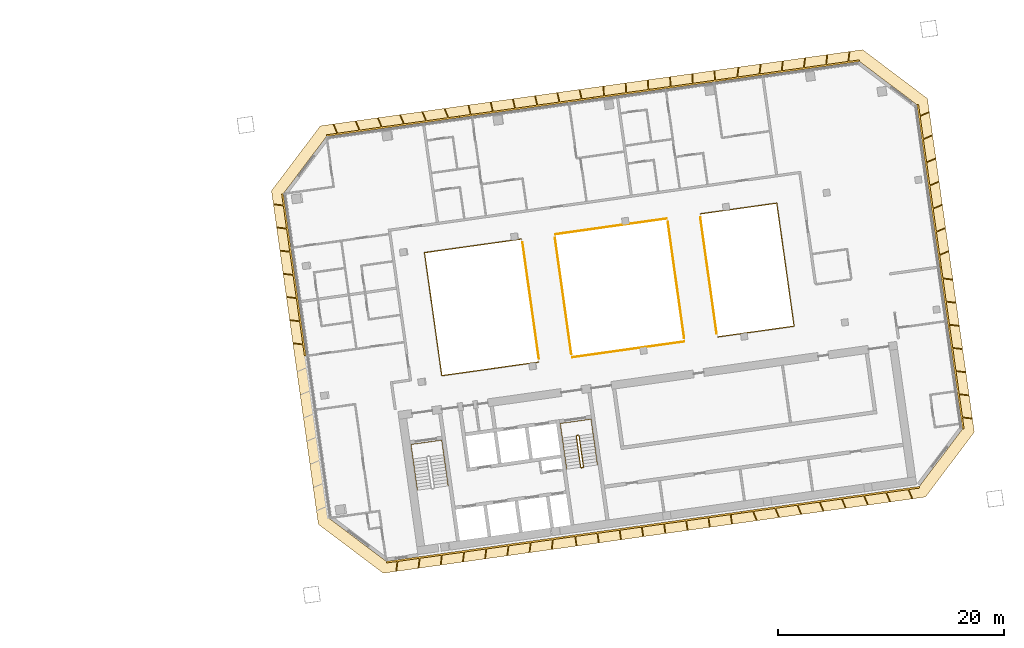
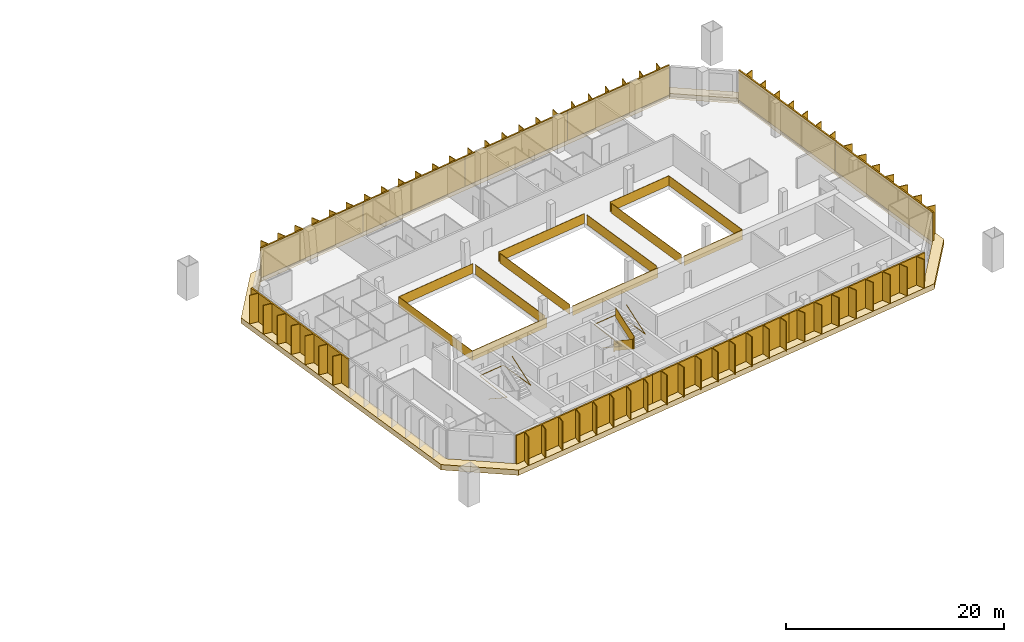
# One storey, part 23 of 23: 11 railings, 10 shading devices, 1 covering.
"""IFC4 building model written with IfcOpenShell, lengths in metres."""

from ifc_helpers import new_model, si_unit, direction, frame, origin, origin_2d, place, context, subcontext, project, spatial, polyline, rectangle, outline, extrude, material, layer, layer_set, type_object, element, save


model = new_model("IFC4")

# Units and contexts
model_context = context("Model", 3, precision=1e-05, world=origin(), true_north=direction((0.0, 1.0)))
body_context = subcontext(model_context, "Body", "Model", "MODEL_VIEW")
ifc_project = project(units=[si_unit("LENGTHUNIT", "METRE"), si_unit("AREAUNIT", "SQUARE_METRE"), si_unit("VOLUMEUNIT", "CUBIC_METRE"), si_unit("PLANEANGLEUNIT", "RADIAN"), si_unit("MASSUNIT", "GRAM", prefix="KILO")], contexts=[model_context])

# Site, building, storey
site_placement = place(None, origin())
site = spatial("IfcSite", under=ifc_project, at=site_placement, CompositionType="ELEMENT")
building_placement = place(site_placement, origin())
building = spatial("IfcBuilding", under=site, at=building_placement, Name="Mirante Cascada Hotel Towers", CompositionType="ELEMENT")
storey_placement = place(building_placement, frame((0.0, 0.0, 199.2)))
storey = spatial("IfcBuildingStorey", under=building, at=storey_placement, Name="L47", CompositionType="ELEMENT", Elevation=199.2)

# Railings
ifc_material_1 = material(Name="Toughened glass with stainless steel handrail", Category="steel")
railing_type_1 = type_object("IfcRailingType", Name="Atrium guard 1100 glass balustrade", PredefinedType="GUARDRAIL", material=ifc_material_1)
railing_1_placement = place(storey_placement, frame((46.4429, 7.9856, 0.0)))
element("IfcRailing", 1, at=railing_1_placement, inside=storey, type_object=railing_type_1, Name="GUARD 2-L47-1", PredefinedType="GUARDRAIL", context=body_context, shape_type="SweptSolid", body=[
    extrude(rectangle(XDim=0.048, YDim=0.048, at=origin_2d()), frame((0.0, 0.0, 1.076), z_axis=(-0.990268, -0.1391739, 0.0), x_axis=(0.1391739, -0.990268, 0.0)), (0.0, 0.0, 1.0), 8.6726),
    extrude(rectangle(XDim=0.02, YDim=1.052, at=origin_2d()), frame((0.0, 0.0, 0.526), z_axis=(-0.990268, -0.1391739, 0.0), x_axis=(0.1391739, -0.990268, 0.0)), (0.0, 0.0, 1.0), 8.6726),
    extrude(rectangle(XDim=0.048, YDim=0.048, at=origin_2d()), frame((-8.5882, -1.207, 1.076), z_axis=(0.1391721, -0.9902682, 0.0), x_axis=(0.9902682, 0.1391721, 0.0)), (0.0, 0.0, 1.0), 11.0001),
    extrude(rectangle(XDim=0.02, YDim=1.052, at=origin_2d()), frame((-8.5882, -1.207, 0.526), z_axis=(0.1391721, -0.9902682, 0.0), x_axis=(0.9902682, 0.1391721, 0.0)), (0.0, 0.0, 1.0), 11.0001),
    extrude(rectangle(XDim=0.048, YDim=0.048, at=origin_2d()), frame((-7.0573, -12.1, 1.076), z_axis=(0.990268, 0.1391739, 0.0), x_axis=(-0.1391739, 0.990268, 0.0)), (0.0, 0.0, 1.0), 8.6726),
    extrude(rectangle(XDim=0.02, YDim=1.052, at=origin_2d()), frame((-7.0573, -12.1, 0.526), z_axis=(0.990268, 0.1391739, 0.0), x_axis=(-0.1391739, 0.990268, 0.0)), (0.0, 0.0, 1.0), 8.6726),
])
railing_2_placement = place(storey_placement, frame((50.9446, -2.4898, 0.0)))
element("IfcRailing", 2, at=railing_2_placement, inside=storey, type_object=railing_type_1, Name="GUARD 2-L47-2", PredefinedType="GUARDRAIL", context=body_context, shape_type="SweptSolid", body=[
    extrude(rectangle(XDim=0.048, YDim=0.048, at=origin_2d()), frame((0.0, 0.0, 1.076), z_axis=(0.990269, 0.1391664, 0.0), x_axis=(-0.1391664, 0.990269, 0.0)), (0.0, 0.0, 1.0), 9.9974),
    extrude(rectangle(XDim=0.02, YDim=1.052, at=origin_2d()), frame((0.0, 0.0, 0.526), z_axis=(0.990269, 0.1391664, 0.0), x_axis=(-0.1391664, 0.990269, 0.0)), (0.0, 0.0, 1.0), 9.9974),
])
railing_3_placement = place(storey_placement, frame((59.3138, 9.7945, 0.0)))
element("IfcRailing", 3, at=railing_3_placement, inside=storey, type_object=railing_type_1, Name="GUARD 2-L47-3", PredefinedType="GUARDRAIL", context=body_context, shape_type="SweptSolid", body=[
    extrude(rectangle(XDim=0.048, YDim=0.048, at=origin_2d()), frame((0.0, 0.0, 1.076), z_axis=(-0.9902676, -0.1391762, 0.0), x_axis=(0.1391762, -0.9902676, 0.0)), (0.0, 0.0, 1.0), 9.9974),
    extrude(rectangle(XDim=0.02, YDim=1.052, at=origin_2d()), frame((0.0, 0.0, 0.526), z_axis=(-0.9902676, -0.1391762, 0.0), x_axis=(0.1391762, -0.9902676, 0.0)), (0.0, 0.0, 1.0), 9.9974),
])
railing_4_placement = place(storey_placement, frame((63.8156, -0.6809, 0.0)))
element("IfcRailing", 4, at=railing_4_placement, inside=storey, type_object=railing_type_1, Name="GUARD 2-L47-4", PredefinedType="GUARDRAIL", context=body_context, shape_type="SweptSolid", body=[
    extrude(rectangle(XDim=0.048, YDim=0.048, at=origin_2d()), frame((0.0, 0.0, 1.076), z_axis=(0.9902688, 0.1391682, 0.0), x_axis=(-0.1391682, 0.9902688, 0.0)), (0.0, 0.0, 1.0), 6.8299),
    extrude(rectangle(XDim=0.02, YDim=1.052, at=origin_2d()), frame((0.0, 0.0, 0.526), z_axis=(0.9902688, 0.1391682, 0.0), x_axis=(-0.1391682, 0.9902688, 0.0)), (0.0, 0.0, 1.0), 6.8299),
    extrude(rectangle(XDim=0.048, YDim=0.048, at=origin_2d()), frame((6.7634, 0.9505, 1.076), z_axis=(-0.1391733, 0.990268, 0.0), x_axis=(-0.990268, -0.1391733, 0.0)), (0.0, 0.0, 1.0), 11.0),
    extrude(rectangle(XDim=0.02, YDim=1.052, at=origin_2d()), frame((6.7634, 0.9505, 0.526), z_axis=(-0.1391733, 0.990268, 0.0), x_axis=(-0.990268, -0.1391733, 0.0)), (0.0, 0.0, 1.0), 11.0),
    extrude(rectangle(XDim=0.048, YDim=0.048, at=origin_2d()), frame((5.2325, 11.8434, 1.076), z_axis=(-0.990269, -0.1391662, 0.0), x_axis=(0.1391662, -0.990269, 0.0)), (0.0, 0.0, 1.0), 6.83),
    extrude(rectangle(XDim=0.02, YDim=1.052, at=origin_2d()), frame((5.2325, 11.8434, 0.526), z_axis=(-0.990269, -0.1391662, 0.0), x_axis=(0.1391662, -0.990269, 0.0)), (0.0, 0.0, 1.0), 6.83),
])
railing_5_placement = place(storey_placement, frame((47.9812, -2.6078, 0.0)))
element("IfcRailing", 5, at=railing_5_placement, inside=storey, type_object=railing_type_1, Name="GUARD 2-L47-5", PredefinedType="GUARDRAIL", context=body_context, shape_type="SweptSolid", body=[
    extrude(rectangle(XDim=0.048, YDim=0.048, at=origin_2d()), frame((0.0, 0.0, 1.076), z_axis=(-0.1391721, 0.9902682, 0.0), x_axis=(-0.9902682, -0.1391721, 0.0)), (0.0, 0.0, 1.0), 10.4087),
    extrude(rectangle(XDim=0.02, YDim=1.052, at=origin_2d()), frame((0.0, 0.0, 0.526), z_axis=(-0.1391721, 0.9902682, 0.0), x_axis=(-0.9902682, -0.1391721, 0.0)), (0.0, 0.0, 1.0), 10.4087),
])
railing_6_placement = place(storey_placement, frame((49.4063, 8.1035, 0.0)))
element("IfcRailing", 6, at=railing_6_placement, inside=storey, type_object=railing_type_1, Name="GUARD 2-L47-6", PredefinedType="GUARDRAIL", context=body_context, shape_type="SweptSolid", body=[
    extrude(rectangle(XDim=0.048, YDim=0.048, at=origin_2d()), frame((0.0, 0.0, 1.076), z_axis=(0.1391721, -0.9902682, 0.0), x_axis=(0.9902682, 0.1391721, 0.0)), (0.0, 0.0, 1.0), 10.4087),
    extrude(rectangle(XDim=0.02, YDim=1.052, at=origin_2d()), frame((0.0, 0.0, 0.526), z_axis=(0.1391721, -0.9902682, 0.0), x_axis=(0.9902682, 0.1391721, 0.0)), (0.0, 0.0, 1.0), 10.4087),
])
railing_7_placement = place(storey_placement, frame((60.8522, -0.7989, 0.0)))
element("IfcRailing", 7, at=railing_7_placement, inside=storey, type_object=railing_type_1, Name="GUARD 2-L47-7", PredefinedType="GUARDRAIL", context=body_context, shape_type="SweptSolid", body=[
    extrude(rectangle(XDim=0.048, YDim=0.048, at=origin_2d()), frame((0.0, 0.0, 1.076), z_axis=(-0.1391721, 0.9902682, 0.0), x_axis=(-0.9902682, -0.1391721, 0.0)), (0.0, 0.0, 1.0), 10.4087),
    extrude(rectangle(XDim=0.02, YDim=1.052, at=origin_2d()), frame((0.0, 0.0, 0.526), z_axis=(-0.1391721, 0.9902682, 0.0), x_axis=(-0.9902682, -0.1391721, 0.0)), (0.0, 0.0, 1.0), 10.4087),
])
railing_8_placement = place(storey_placement, frame((62.2772, 9.9124, 0.0)))
element("IfcRailing", 8, at=railing_8_placement, inside=storey, type_object=railing_type_1, Name="GUARD 2-L47-8", PredefinedType="GUARDRAIL", context=body_context, shape_type="SweptSolid", body=[
    extrude(rectangle(XDim=0.048, YDim=0.048, at=origin_2d()), frame((0.0, 0.0, 1.076), z_axis=(0.1391721, -0.9902682, 0.0), x_axis=(0.9902682, 0.1391721, 0.0)), (0.0, 0.0, 1.0), 10.4087),
    extrude(rectangle(XDim=0.02, YDim=1.052, at=origin_2d()), frame((0.0, 0.0, 0.526), z_axis=(0.1391721, -0.9902682, 0.0), x_axis=(0.9902682, 0.1391721, 0.0)), (0.0, 0.0, 1.0), 10.4087),
])

# Covering
ifc_material_2 = material(Name="Precast concrete C40/50 white", Category="concrete")
ifc_layer = layer(ifc_material_2, 0.6)
ifc_layer_set = layer_set([ifc_layer], Name="Precast concrete SUNSHADE band 1000x600")
covering_type = type_object("IfcCoveringType", Name="Precast concrete SUNSHADE band 1000x600", PredefinedType="CLADDING", material=ifc_layer_set)
covering_placement = place(storey_placement, frame((0.0, 0.0, -0.45)))
element("IfcCovering", 9, at=covering_placement, inside=storey, type_object=covering_type, Name="Precast concrete SUNSHADE band T2 L47", PredefinedType="CLADDING", context=body_context, shape_type="SweptSolid", body=[
    extrude(outline(polyline([(24.3025, 12.2601), (28.631, 18.0042), (76.645, 24.7521), (82.3891, 20.4236), (86.5404, -9.1145), (82.2119, -14.8586), (34.1979, -21.6066), (28.4539, -17.2781), (24.3025, 12.2601)]), holes=[polyline([(85.4925, -8.8435), (81.4565, 19.8742), (76.374, 23.7042), (29.1804, 17.0715), (25.3505, 11.989), (29.3865, -16.7287), (34.469, -20.5587), (81.6626, -13.926), (85.4925, -8.8435)])]), origin(), (0.0, 0.0, 1.0), 0.6),
])

# Railings
ifc_material_3 = material(Name="Painted steel", Category="steel")
railing_type_2 = type_object("IfcRailingType", Name="Stair guard 1100 steel balustrade", PredefinedType="GUARDRAIL", material=ifc_material_3)
railing_9_placement = place(storey_placement, frame((51.4864, -9.3815, 0.0)))
element("IfcRailing", 10, at=railing_9_placement, inside=storey, type_object=railing_type_2, Name="L47 ST2-B stair guard 1", PredefinedType="GUARDRAIL", context=body_context, shape_type="SweptSolid", body=[
    extrude(rectangle(XDim=0.048, YDim=0.048, at=origin_2d()), frame((0.0, 0.0, 1.076), z_axis=(-0.9902408, -0.1393672, 0.0), x_axis=(0.1393672, -0.9902408, 0.0)), (0.0, 0.0, 1.0), 0.15),
    extrude(rectangle(XDim=0.02, YDim=1.052, at=origin_2d()), frame((0.0, 0.0, 0.526), z_axis=(-0.9902408, -0.1393672, 0.0), x_axis=(0.1393672, -0.9902408, 0.0)), (0.0, 0.0, 1.0), 0.15),
    extrude(rectangle(XDim=0.048, YDim=0.048, at=origin_2d()), frame((-0.1485, -0.0209, 1.076), z_axis=(-0.6020331, -0.7984711, 0.0), x_axis=(0.7984711, -0.6020331, 0.0)), (0.0, 0.9253398, 0.3791387), 0.1866),
    extrude(rectangle(XDim=0.02, YDim=1.052, at=origin_2d()), frame((-0.1485, -0.0209, 0.526), z_axis=(-0.6020331, -0.7984711, 0.0), x_axis=(0.7984711, -0.6020331, 0.0)), (0.0, 0.9253398, 0.3791387), 0.1866),
    extrude(rectangle(XDim=0.048, YDim=0.048, at=origin_2d()), frame((-0.1911, -0.0774, 1.2487), z_axis=(0.139181, -0.990267, 0.0), x_axis=(0.990267, 0.139181, 0.0)), (0.0, 0.5250347, 0.8510808), 3.2899),
    extrude(rectangle(XDim=0.02, YDim=1.052, at=origin_2d()), frame((-0.1911, -0.0774, 0.6987), z_axis=(0.139181, -0.990267, 0.0), x_axis=(0.990267, 0.139181, 0.0)), (0.0, 0.5250347, 0.8510808), 3.2899),
    extrude(rectangle(XDim=0.048, YDim=0.048, at=origin_2d()), frame((0.1986, -2.8501, 2.976), z_axis=(0.9944441, -0.1052656, 0.0), x_axis=(0.1052656, 0.9944441, 0.0)), (0.0, 0.0, 1.0), 0.2061),
    extrude(rectangle(XDim=0.02, YDim=1.052, at=origin_2d()), frame((0.1986, -2.8501, 2.426), z_axis=(0.9944441, -0.1052656, 0.0), x_axis=(0.1052656, 0.9944441, 0.0)), (0.0, 0.0, 1.0), 0.2061),
    extrude(rectangle(XDim=0.048, YDim=0.048, at=origin_2d()), frame((0.4036, -2.8718, 2.976), z_axis=(-0.9902408, -0.1393672, 0.0), x_axis=(0.1393672, -0.9902408, 0.0)), (0.0, 0.0, 1.0), 0.15),
    extrude(rectangle(XDim=0.02, YDim=1.052, at=origin_2d()), frame((0.4036, -2.8718, 2.426), z_axis=(-0.9902408, -0.1393672, 0.0), x_axis=(0.1393672, -0.9902408, 0.0)), (0.0, 0.0, 1.0), 0.15),
    extrude(rectangle(XDim=0.048, YDim=0.048, at=origin_2d()), frame((0.2551, -2.8927, 2.976), z_axis=(0.9268624, 0.3754011, 0.0), x_axis=(-0.3754011, 0.9268624, 0.0)), (0.0, 0.6421217, 0.7666028), 0.269),
    extrude(rectangle(XDim=0.02, YDim=1.052, at=origin_2d()), frame((0.2551, -2.8927, 2.426), z_axis=(0.9268624, 0.3754011, 0.0), x_axis=(-0.3754011, 0.9268624, 0.0)), (0.0, 0.6421217, 0.7666028), 0.269),
    extrude(rectangle(XDim=0.048, YDim=0.048, at=origin_2d()), frame((0.4462, -2.8153, 3.1487), z_axis=(-0.139181, 0.990267, 0.0), x_axis=(-0.990267, -0.139181, 0.0)), (0.0, 0.5250347, 0.8510808), 3.2899),
    extrude(rectangle(XDim=0.02, YDim=1.052, at=origin_2d()), frame((0.4462, -2.8153, 2.5987), z_axis=(-0.139181, 0.990267, 0.0), x_axis=(-0.990267, -0.139181, 0.0)), (0.0, 0.5250347, 0.8510808), 3.2899),
])
ifc_material_4 = material(Name="Painted steel", Category="steel")
railing_type_3 = type_object("IfcRailingType", Name="Stair handrail 900 steel tube", PredefinedType="HANDRAIL", material=ifc_material_4)
railing_10_placement = place(storey_placement, frame((36.8374, -11.4908, 0.1727)))
element("IfcRailing", 11, at=railing_10_placement, inside=storey, type_object=railing_type_3, Name="L47 ST2-A stair handrail 1", PredefinedType="HANDRAIL", context=body_context, shape_type="SweptSolid", body=[
    extrude(rectangle(XDim=0.048, YDim=0.048, at=origin_2d()), frame((0.0, 0.0, 0.876), z_axis=(0.139181, -0.990267, 0.0), x_axis=(0.990267, 0.139181, 0.0)), (0.0, 0.5250347, 0.8510808), 3.2899),
    extrude(rectangle(XDim=0.048, YDim=0.048, at=origin_2d()), frame((0.3897, -2.7727, 2.6033), z_axis=(-0.1391707, 0.9902684, 0.0), x_axis=(-0.9902684, -0.1391707, 0.0)), (0.0, 0.0420846, 0.999114), 4.1036),
    extrude(rectangle(XDim=0.048, YDim=0.048, at=origin_2d()), frame((-0.1809, 1.2874, 2.776), z_axis=(0.9902691, 0.1391657, 0.0), x_axis=(-0.1391657, 0.9902691, 0.0)), (0.0, 0.0, 1.0), 2.75),
    extrude(rectangle(XDim=0.048, YDim=0.048, at=origin_2d()), frame((2.5423, 1.6701, 2.776), z_axis=(0.1391707, -0.9902684, 0.0), x_axis=(0.9902684, 0.1391707, 0.0)), (0.0, 0.0, 1.0), 4.1),
    extrude(rectangle(XDim=0.048, YDim=0.048, at=origin_2d()), frame((3.1129, -2.39, 2.776), z_axis=(-0.139181, 0.990267, 0.0), x_axis=(-0.990267, -0.139181, 0.0)), (0.0, 0.5250347, 0.8510808), 3.2899),
])
railing_11_placement = place(storey_placement, frame((50.0575, -9.6328, 0.1727)))
element("IfcRailing", 12, at=railing_11_placement, inside=storey, type_object=railing_type_3, Name="L47 ST2-B stair handrail 1", PredefinedType="HANDRAIL", context=body_context, shape_type="SweptSolid", body=[
    extrude(rectangle(XDim=0.048, YDim=0.048, at=origin_2d()), frame((0.0, 0.0, 0.876), z_axis=(0.139176, -0.9902677, 0.0), x_axis=(0.9902677, 0.139176, 0.0)), (0.0, 0.5250212, 0.8510891), 3.29),
    extrude(rectangle(XDim=0.048, YDim=0.048, at=origin_2d()), frame((0.3897, -2.7728, 2.6033), z_axis=(-0.1391707, 0.9902684, 0.0), x_axis=(-0.9902684, -0.1391707, 0.0)), (0.0, 0.0420846, 0.999114), 4.1036),
    extrude(rectangle(XDim=0.048, YDim=0.048, at=origin_2d()), frame((-0.1809, 1.2873, 2.776), z_axis=(0.9902641, 0.1392013, 0.0), x_axis=(-0.1392013, 0.9902641, 0.0)), (0.0, 0.0, 1.0), 2.75),
    extrude(rectangle(XDim=0.048, YDim=0.048, at=origin_2d()), frame((2.5423, 1.6701, 2.776), z_axis=(0.1391707, -0.9902684, 0.0), x_axis=(0.9902684, 0.1391707, 0.0)), (0.0, 0.0, 1.0), 4.1),
    extrude(rectangle(XDim=0.048, YDim=0.048, at=origin_2d()), frame((3.1129, -2.39, 2.776), z_axis=(-0.139181, 0.990267, 0.0), x_axis=(-0.990267, -0.139181, 0.0)), (0.0, 0.5250347, 0.8510808), 3.2899),
])

# Shading devices
ifc_material_5 = material(Name="White precast concrete C50/60 fin", Category="concrete")
shading_device_type = type_object("IfcShadingDeviceType", Name="Vertical fin set 4500x900", PredefinedType="USERDEFINED", material=ifc_material_5)
shading_device_1_placement = place(storey_placement, origin())
element("IfcShadingDevice", 13, at=shading_device_1_placement, inside=storey, type_object=shading_device_type, Name="FIN T2 L47 front 1", ObjectType="FIN", PredefinedType="USERDEFINED", context=body_context, shape_type="SweptSolid", body=[
    extrude(outline(polyline([(65.6942, 23.1716), (65.5922, 22.3404), (67.4766, 22.6052), (67.5812, 23.4577), (67.6606, 23.448), (67.5586, 22.6167), (69.443, 22.8815), (69.5476, 23.7341), (69.627, 23.7243), (69.525, 22.8931), (71.4094, 23.1579), (71.514, 24.0105), (71.5934, 24.0007), (71.4914, 23.1694), (73.3758, 23.4343), (73.4804, 24.2868), (73.5598, 24.2771), (73.4578, 23.4458), (75.3422, 23.7106), (75.4468, 24.5632), (75.5262, 24.5534), (75.4242, 23.7222), (76.3531, 23.8527), (76.374, 23.7042), (64.5756, 22.046), (64.5547, 22.1945), (65.5102, 22.3288), (65.6148, 23.1814), (65.6942, 23.1716)])), origin(), (0.0, 0.0, 1.0), 3.35),
])
shading_device_2_placement = place(storey_placement, origin())
element("IfcShadingDevice", 14, at=shading_device_2_placement, inside=storey, type_object=shading_device_type, Name="FIN T2 L47 front 2", ObjectType="FIN", PredefinedType="USERDEFINED", context=body_context, shape_type="SweptSolid", body=[
    extrude(outline(polyline([(53.7393, 21.5259), (53.7836, 20.6808), (55.6705, 20.9459), (55.6258, 21.7981), (55.7057, 21.8023), (55.75, 20.9571), (57.6369, 21.2223), (57.5922, 22.0744), (57.6721, 22.0786), (57.7164, 21.2335), (59.6033, 21.4987), (59.5586, 22.3508), (59.6385, 22.355), (59.6828, 21.5098), (61.5697, 21.775), (61.525, 22.6272), (61.6049, 22.6314), (61.6492, 21.7862), (63.5361, 22.0514), (63.4914, 22.9035), (63.5713, 22.9077), (63.6156, 22.0626), (64.5547, 22.1945), (64.5756, 22.046), (52.7772, 20.3878), (52.7563, 20.5364), (53.7041, 20.6696), (53.6594, 21.5217), (53.7393, 21.5259)])), origin(), (0.0, 0.0, 1.0), 3.35),
])
shading_device_3_placement = place(storey_placement, origin())
element("IfcShadingDevice", 15, at=shading_device_3_placement, inside=storey, type_object=shading_device_type, Name="FIN T2 L47 front 3", ObjectType="FIN", PredefinedType="USERDEFINED", context=body_context, shape_type="SweptSolid", body=[
    extrude(outline(polyline([(41.7846, 19.8528), (41.9765, 19.0214), (43.8634, 19.2866), (43.673, 20.1112), (43.751, 20.1292), (43.9429, 19.2977), (45.8298, 19.5629), (45.6394, 20.3876), (45.7174, 20.4055), (45.9093, 19.5741), (47.7962, 19.8393), (47.6058, 20.6639), (47.6838, 20.6819), (47.8757, 19.8505), (49.7626, 20.1157), (49.5722, 20.9403), (49.6502, 20.9583), (49.8421, 20.1268), (51.729, 20.392), (51.5386, 21.2166), (51.6166, 21.2346), (51.8085, 20.4032), (52.7563, 20.5364), (52.7772, 20.3878), (40.9788, 18.7297), (40.9579, 18.8782), (41.897, 19.0102), (41.7066, 19.8348), (41.7846, 19.8528)])), origin(), (0.0, 0.0, 1.0), 3.35),
])
shading_device_4_placement = place(storey_placement, origin())
element("IfcShadingDevice", 16, at=shading_device_4_placement, inside=storey, type_object=shading_device_type, Name="FIN T2 L47 front 4", ObjectType="FIN", PredefinedType="USERDEFINED", context=body_context, shape_type="SweptSolid", body=[
    extrude(outline(polyline([(29.8348, 18.1528), (30.1704, 17.3622), (32.0548, 17.627), (31.7276, 18.3979), (31.8012, 18.4292), (32.1368, 17.6385), (34.0212, 17.9033), (33.694, 18.6743), (33.7676, 18.7055), (34.1032, 17.9149), (35.9876, 18.1797), (35.6604, 18.9506), (35.734, 18.9819), (36.0696, 18.1912), (37.954, 18.4561), (37.6268, 19.227), (37.7004, 19.2583), (38.036, 18.4676), (39.9204, 18.7324), (39.5932, 19.5034), (39.6668, 19.5346), (40.0024, 18.744), (40.9579, 18.8782), (40.9788, 18.7297), (29.1804, 17.0715), (29.1595, 17.2201), (30.0884, 17.3506), (29.7612, 18.1216), (29.8348, 18.1528)])), origin(), (0.0, 0.0, 1.0), 3.35),
])
shading_device_5_placement = place(storey_placement, origin())
element("IfcShadingDevice", 17, at=shading_device_5_placement, inside=storey, type_object=shading_device_type, Name="FIN T2 L47 inner 1", ObjectType="FIN", PredefinedType="USERDEFINED", context=body_context, shape_type="SweptSolid", body=[
    extrude(outline(polyline([(26.2369, -1.2087), (27.0682, -1.3108), (26.7914, 0.6584), (25.9388, 0.7631), (25.9486, 0.8425), (26.7799, 0.7405), (26.5031, 2.7097), (25.6506, 2.8144), (25.6603, 2.8938), (26.4916, 2.7917), (26.2148, 4.761), (25.3623, 4.8657), (25.372, 4.9451), (26.2033, 4.843), (25.9265, 6.8123), (25.074, 6.9169), (25.0837, 6.9963), (25.915, 6.8943), (25.6382, 8.8635), (24.7857, 8.9682), (24.7954, 9.0476), (25.6267, 8.9455), (25.35, 10.9148), (24.4974, 11.0195), (24.5072, 11.0989), (25.3384, 10.9968), (25.2019, 11.9682), (25.3505, 11.989), (27.3685, -2.3698), (27.2199, -2.3907), (27.0797, -1.3928), (26.2271, -1.2881), (26.2369, -1.2087)])), origin(), (0.0, 0.0, 1.0), 3.35),
])
shading_device_6_placement = place(storey_placement, origin())
element("IfcShadingDevice", 18, at=shading_device_6_placement, inside=storey, type_object=shading_device_type, Name="FIN T2 L47 outer 1", ObjectType="FIN", PredefinedType="USERDEFINED", context=body_context, shape_type="SweptSolid", body=[
    extrude(outline(polyline([(86.3358, -7.9534), (85.5045, -7.8513), (85.641, -8.8227), (85.4925, -8.8435), (83.4745, 5.5153), (83.623, 5.5362), (83.7633, 4.5383), (84.6158, 4.4336), (84.6061, 4.3542), (83.7748, 4.4563), (84.0515, 2.4871), (84.9041, 2.3824), (84.8943, 2.303), (84.0631, 2.405), (84.3398, 0.4358), (85.1924, 0.3311), (85.1826, 0.2517), (84.3514, 0.3538), (84.6281, -1.6155), (85.4807, -1.7202), (85.4709, -1.7996), (84.6396, -1.6975), (84.9164, -3.6667), (85.769, -3.7714), (85.7592, -3.8508), (84.9279, -3.7488), (85.2047, -5.718), (86.0572, -5.8227), (86.0475, -5.9021), (85.2162, -5.8), (85.493, -7.7693), (86.3455, -7.874), (86.3358, -7.9534)])), origin(), (0.0, 0.0, 1.0), 3.35),
])
shading_device_7_placement = place(storey_placement, origin())
element("IfcShadingDevice", 19, at=shading_device_7_placement, inside=storey, type_object=shading_device_type, Name="FIN T2 L47 outer 2", ObjectType="FIN", PredefinedType="USERDEFINED", context=body_context, shape_type="SweptSolid", body=[
    extrude(outline(polyline([(84.2734, 6.8697), (83.4828, 6.5341), (83.623, 5.5362), (83.4745, 5.5153), (81.4565, 19.8742), (81.605, 19.8951), (81.7415, 18.9238), (82.5125, 19.251), (82.5437, 19.1774), (81.753, 18.8417), (82.0298, 16.8725), (82.8007, 17.1997), (82.832, 17.1261), (82.0413, 16.7905), (82.3181, 14.8212), (83.089, 15.1485), (83.1203, 15.0748), (82.3296, 14.7392), (82.6064, 12.7699), (83.3773, 13.0972), (83.4086, 13.0235), (82.6179, 12.6879), (82.8947, 10.7187), (83.6656, 11.0459), (83.6969, 10.9723), (82.9062, 10.6367), (83.183, 8.6674), (83.9539, 8.9946), (83.9852, 8.921), (83.1945, 8.5854), (83.4712, 6.6161), (84.2422, 6.9434), (84.2734, 6.8697)])), origin(), (0.0, 0.0, 1.0), 3.35),
])
shading_device_8_placement = place(storey_placement, origin())
element("IfcShadingDevice", 20, at=shading_device_8_placement, inside=storey, type_object=shading_device_type, Name="FIN T2 L47 rear 1", ObjectType="FIN", PredefinedType="USERDEFINED", context=body_context, shape_type="SweptSolid", body=[
    extrude(outline(polyline([(35.3167, -21.4079), (35.4188, -20.5766), (34.4898, -20.7072), (34.469, -20.5587), (50.2002, -18.3478), (50.221, -18.4963), (49.2656, -18.6306), (49.1609, -19.4831), (49.0815, -19.4734), (49.1836, -18.6421), (47.2992, -18.907), (47.1945, -19.7595), (47.1151, -19.7498), (47.2172, -18.9185), (45.3328, -19.1833), (45.2281, -20.0359), (45.1487, -20.0261), (45.2508, -19.1948), (43.3664, -19.4597), (43.2617, -20.3122), (43.1823, -20.3025), (43.2844, -19.4712), (41.4, -19.736), (41.2953, -20.5886), (41.2159, -20.5788), (41.318, -19.7476), (39.4336, -20.0124), (39.3289, -20.8649), (39.2495, -20.8552), (39.3516, -20.0239), (37.4672, -20.2888), (37.3625, -21.1413), (37.2831, -21.1316), (37.3852, -20.3003), (35.5008, -20.5651), (35.3961, -21.4177), (35.3167, -21.4079)])), origin(), (0.0, 0.0, 1.0), 3.35),
])
shading_device_9_placement = place(storey_placement, origin())
element("IfcShadingDevice", 21, at=shading_device_9_placement, inside=storey, type_object=shading_device_type, Name="FIN T2 L47 rear 2", ObjectType="FIN", PredefinedType="USERDEFINED", context=body_context, shape_type="SweptSolid", body=[
    extrude(outline(polyline([(51.2829, -19.2054), (51.1646, -18.3637), (50.221, -18.4963), (50.2002, -18.3478), (65.9314, -16.1369), (65.9522, -16.2854), (65.0086, -16.4181), (65.1269, -17.2598), (65.0477, -17.2709), (64.9294, -16.4292), (63.0422, -16.6944), (63.1605, -17.5361), (63.0813, -17.5473), (62.963, -16.7055), (61.0758, -16.9708), (61.1941, -17.8125), (61.1149, -17.8236), (60.9966, -16.9819), (59.1094, -17.2471), (59.2277, -18.0889), (59.1485, -18.1), (59.0302, -17.2583), (57.143, -17.5235), (57.2613, -18.3652), (57.1821, -18.3764), (57.0638, -17.5346), (55.1766, -17.7999), (55.2949, -18.6416), (55.2157, -18.6527), (55.0974, -17.811), (53.2102, -18.0762), (53.3285, -18.9179), (53.2493, -18.9291), (53.131, -18.0873), (51.2438, -18.3526), (51.3621, -19.1943), (51.2829, -19.2054)])), origin(), (0.0, 0.0, 1.0), 3.35),
])
shading_device_10_placement = place(storey_placement, origin())
element("IfcShadingDevice", 22, at=shading_device_10_placement, inside=storey, type_object=shading_device_type, Name="FIN T2 L47 rear 3", ObjectType="FIN", PredefinedType="USERDEFINED", context=body_context, shape_type="SweptSolid", body=[
    extrude(outline(polyline([(67.2433, -16.9418), (66.9077, -16.1512), (65.9522, -16.2854), (65.9314, -16.1369), (81.6626, -13.926), (81.6834, -14.0746), (80.7545, -14.2051), (81.0818, -14.9761), (81.0081, -15.0073), (80.6725, -14.2166), (78.7881, -14.4815), (79.1154, -15.2524), (79.0417, -15.2837), (78.7061, -14.493), (76.8217, -14.7578), (77.149, -15.5288), (77.0753, -15.56), (76.7397, -14.7694), (74.8553, -15.0342), (75.1826, -15.8051), (75.1089, -15.8364), (74.7733, -15.0457), (72.8889, -15.3106), (73.2162, -16.0815), (73.1425, -16.1128), (72.8069, -15.3221), (70.9225, -15.5869), (71.2498, -16.3579), (71.1761, -16.3891), (70.8405, -15.5984), (68.9561, -15.8633), (69.2834, -16.6342), (69.2097, -16.6655), (68.8741, -15.8748), (66.9897, -16.1396), (67.317, -16.9106), (67.2433, -16.9418)])), origin(), (0.0, 0.0, 1.0), 3.35),
])

save(model, "model.ifc")
